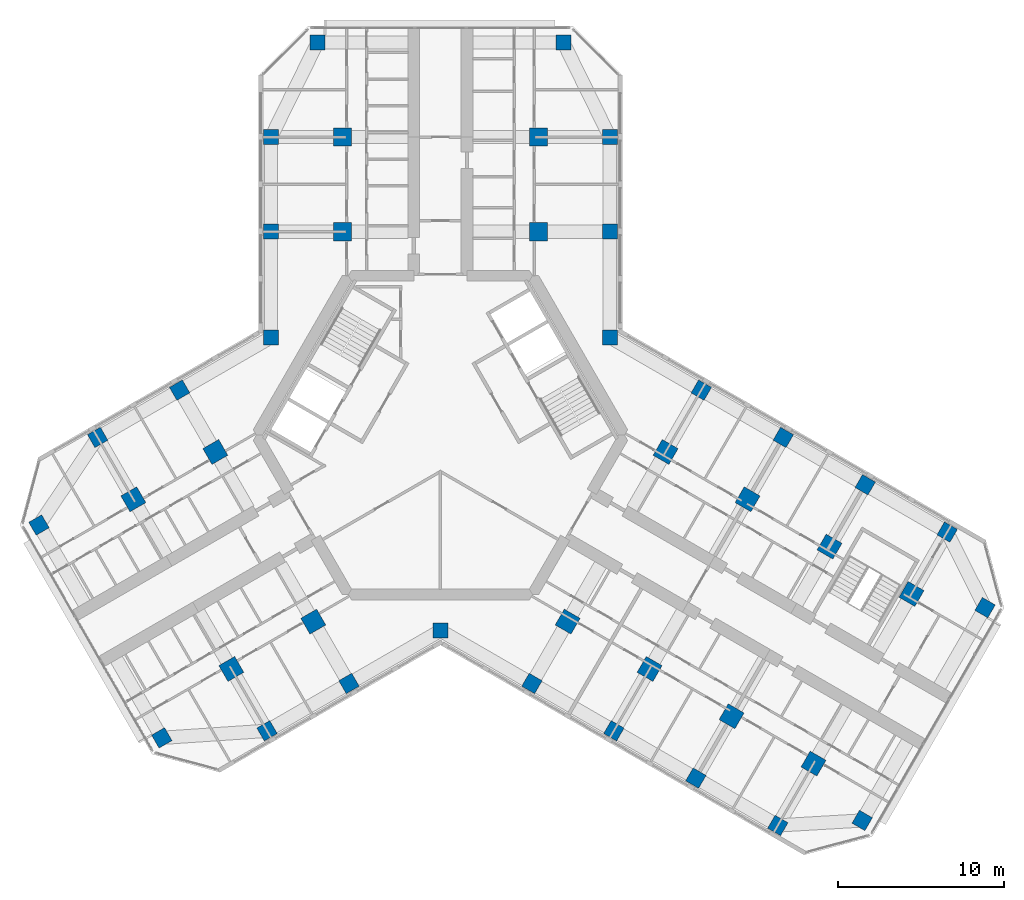
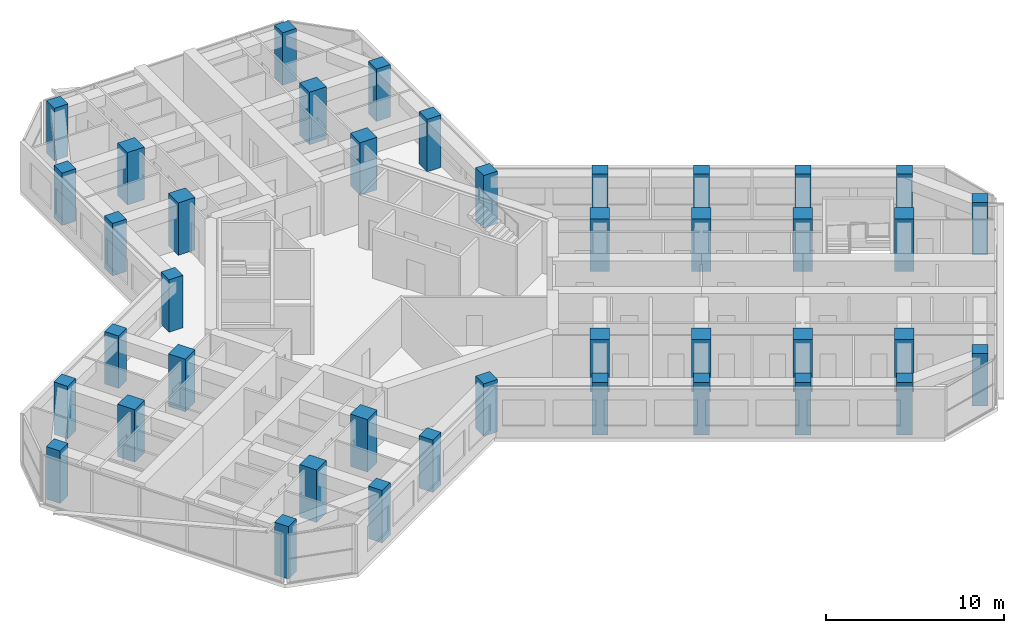
# One storey, part 1 of 16: 41 columns.
"""IFC4 building model written with IfcOpenShell, lengths in metres."""

import ifcopenshell
import ifcopenshell.guid

model = None  # the IFC model being written
_history = None  # IfcOwnerHistory: only IFC2X3 demands one
_inside = {}  # id of a spatial element -> (the spatial element, [elements in it])
_under = {}  # id of a project, library or spatial element -> (it, [spatial elements below it])
_declared = {}  # id of a project -> (the project, [libraries it declares])
_typed = {}  # id of a type object -> (the type object, [elements of that type])
_made_of = {}  # id of a material, layer set ... -> (it, [elements and type objects made of it])


def new_model(schema):
    """Start an empty IFC model of exactly this schema.

    Asked for "IFC4X3", IfcOpenShell would pick the latest addendum, in which some entities
    have other attributes; the version numbers below select the first issue.
    IFC2X3 requires an IfcOwnerHistory on every rooted entity: one is made here for all.
    """
    global model, _history
    if schema == "IFC4X3":
        model = ifcopenshell.file(schema_version=(4, 3, 0, 0))
    else:
        model = ifcopenshell.file(schema=schema)
    _inside.clear()
    _under.clear()
    _declared.clear()
    _typed.clear()
    _made_of.clear()
    _history = None
    if model.schema == "IFC2X3":
        org = make("IfcOrganization", Name="unknown")
        user = make(
            "IfcPersonAndOrganization",
            ThePerson=make("IfcPerson", FamilyName="unknown"),
            TheOrganization=org,
        )
        app = make(
            "IfcApplication",
            ApplicationDeveloper=org,
            Version="unknown",
            ApplicationFullName="unknown",
            ApplicationIdentifier="unknown",
        )
        _history = make(
            "IfcOwnerHistory",
            OwningUser=user,
            OwningApplication=app,
            ChangeAction="ADDED",
            CreationDate=0,
        )
    return model


def make(cls, **values):
    """One entity of the class cls with the attributes given. An attribute that is None is left unset."""
    return model.create_entity(
        cls, **{name: value for name, value in values.items() if value is not None}
    )


def rooted(cls, **values):
    """An entity with a GlobalId (a new one), such as an element, a storey or a relation."""
    return make(cls, GlobalId=ifcopenshell.guid.new(), OwnerHistory=_history, **values)


def si_unit(unit_type, name, prefix=None):
    """IfcSIUnit, for example si_unit("LENGTHUNIT", "METRE", prefix="MILLI")."""
    return make("IfcSIUnit", UnitType=unit_type, Prefix=prefix, Name=name)


def assignment(units):
    """IfcUnitAssignment: the units of a project."""
    return None if units is None else make("IfcUnitAssignment", Units=units)


def point(xyz):
    """IfcCartesianPoint."""
    return None if xyz is None else make("IfcCartesianPoint", Coordinates=xyz)


def direction(xyz):
    """IfcDirection."""
    return None if xyz is None else make("IfcDirection", DirectionRatios=xyz)


def frame(location, z_axis=None, x_axis=None):
    """IfcAxis2Placement3D, a coordinate frame: its origin and axes. An axis left out is left unset."""
    return make(
        "IfcAxis2Placement3D",
        Location=point(location),
        Axis=direction(z_axis),
        RefDirection=direction(x_axis),
    )


def frame_2d(location, x_axis=None):
    """IfcAxis2Placement2D, a coordinate frame in the plane: its origin and x axis."""
    return make(
        "IfcAxis2Placement2D", Location=point(location), RefDirection=direction(x_axis)
    )


def origin():
    """The frame at (0, 0, 0) with its axes left unset."""
    return frame((0.0, 0.0, 0.0))


def origin_2d():
    """The frame at (0, 0) in the plane with its x axis left unset."""
    return frame_2d((0.0, 0.0))


def place(relative_to, where):
    """IfcLocalPlacement: puts the frame where relative to a parent placement (None: the world)."""
    return make(
        "IfcLocalPlacement", PlacementRelTo=relative_to, RelativePlacement=where
    )


def context(
    kind, dimensions, precision=None, world=None, true_north=None, identifier=None
):
    """IfcGeometricRepresentationContext, for example the 3D "Model" context."""
    return make(
        "IfcGeometricRepresentationContext",
        ContextIdentifier=identifier,
        ContextType=kind,
        CoordinateSpaceDimension=dimensions,
        Precision=precision,
        WorldCoordinateSystem=world,
        TrueNorth=true_north,
    )


def subcontext(parent, identifier, kind, view, scale=None):
    """IfcGeometricRepresentationSubContext, for example "Body" below "Model"."""
    return make(
        "IfcGeometricRepresentationSubContext",
        ContextIdentifier=identifier,
        ContextType=kind,
        ParentContext=parent,
        TargetScale=scale,
        TargetView=view,
    )


def project(units=None, contexts=None):
    """IfcProject with its units and contexts."""
    return rooted(
        "IfcProject",
        Name="project",
        RepresentationContexts=contexts,
        UnitsInContext=assignment(units),
    )


def spatial(cls, under=None, at=None, **own):
    """A site, building, storey or space (cls), placed at a placement, below another one or the project."""
    s = rooted(cls, ObjectPlacement=at, **own)
    if under is not None:
        _under.setdefault(under.id(), (under, []))[1].append(s)
    return s


def profile(cls, at=None, kind="AREA", **sizes):
    """A parametric profile (cls). Its sizes go by their IFC names, for example OverallWidth=200.0."""
    return make(cls, ProfileType=kind, Position=at, **sizes)


def rectangle(**sizes):
    """IfcRectangleProfileDef."""
    return profile("IfcRectangleProfileDef", **sizes)


def extrude(swept, where, along, depth):
    """IfcExtrudedAreaSolid: the profile swept, set in the frame where, extruded along a direction by depth."""
    return make(
        "IfcExtrudedAreaSolid",
        SweptArea=swept,
        Position=where,
        ExtrudedDirection=direction(along),
        Depth=depth,
    )


def shape(context_of_items, identifier, shape_type, items):
    """IfcShapeRepresentation: the items that make up one representation, for example the "Body"."""
    return make(
        "IfcShapeRepresentation",
        ContextOfItems=context_of_items,
        RepresentationIdentifier=identifier,
        RepresentationType=shape_type,
        Items=items,
    )


def material(Name=None, Category=None):
    """IfcMaterial."""
    return make("IfcMaterial", Name=Name, Category=Category)


def material_profile(
    of_material, cross_section, Name=None, Category=None, Priority=None
):
    """IfcMaterialProfile: a cross section and its material."""
    return make(
        "IfcMaterialProfile",
        Name=Name,
        Material=of_material,
        Profile=cross_section,
        Priority=Priority,
        Category=Category,
    )


def profile_set(profiles, Name=None, composite=None):
    """IfcMaterialProfileSet."""
    return make(
        "IfcMaterialProfileSet",
        Name=Name,
        MaterialProfiles=profiles,
        CompositeProfile=composite,
    )


def made_of(thing, what):
    """Note that an element or type object is made of a material, layer set ...; save() writes the relation."""
    if what is not None:
        _made_of.setdefault(what.id(), (what, []))[1].append(thing)
    return thing


def type_object(cls, material=None, **own):
    """A type object (cls), such as IfcWallType, which elements share."""
    return made_of(rooted(cls, **own), material)


def element(
    cls,
    number,
    at=None,
    inside=None,
    cuts=None,
    type_object=None,
    material=None,
    context=None,
    identifier="Body",
    shape_type=None,
    held_by="IfcProductDefinitionShape",
    body=None,
    shapes=None,
    **own,
):
    """One element of the class cls, such as IfcWall. Its Tag is "e" and its number.

    at: its placement. inside: the storey or other place that contains it. cuts: it is an
    opening in that element (IfcRelVoidsElement). A single representation is given by context,
    identifier, shape_type and body (its items); several are given by shapes. held_by: the class
    of the entity that holds the representations. save() writes the other relations.
    """
    e = rooted(cls, Tag="e%d" % number, ObjectPlacement=at, **own)
    if body is not None:
        shapes = [shape(context, identifier, shape_type, body)]
    if shapes is not None:
        e.Representation = make(held_by, Representations=shapes)
    if inside is not None:
        _inside.setdefault(inside.id(), (inside, []))[1].append(e)
    if cuts is not None:
        rooted(
            "IfcRelVoidsElement", RelatingBuildingElement=cuts, RelatedOpeningElement=e
        )
    if type_object is not None:
        _typed.setdefault(type_object.id(), (type_object, []))[1].append(e)
    return made_of(e, material)


def aggregate(whole, parts):
    """IfcRelAggregates: a whole, such as a stair, and the parts it consists of."""
    return rooted("IfcRelAggregates", RelatingObject=whole, RelatedObjects=parts)


def save(model, path):
    """Write the relations noted so far, then the file.

    IfcRelAggregates (storeys below a building ...), IfcRelContainedInSpatialStructure (elements
    in a storey), IfcRelDefinesByType, IfcRelAssociatesMaterial and IfcRelDeclares: one each for
    every whole, place, type object, material and project.
    """
    for whole, parts in _under.values():
        aggregate(whole, parts)
    for where, things in _inside.values():
        rooted(
            "IfcRelContainedInSpatialStructure",
            RelatedElements=things,
            RelatingStructure=where,
        )
    for kind, things in _typed.values():
        rooted("IfcRelDefinesByType", RelatedObjects=things, RelatingType=kind)
    for what, things in _made_of.values():
        rooted("IfcRelAssociatesMaterial", RelatedObjects=things, RelatingMaterial=what)
    for by, libraries in _declared.values():
        rooted("IfcRelDeclares", RelatingContext=by, RelatedDefinitions=libraries)
    model.write(path)


model = new_model("IFC4")

# Units and contexts
model_context = context("Model", 3, precision=1e-05, world=origin(), true_north=direction((0.0, 1.0)))
body_context = subcontext(model_context, "Body", "Model", "MODEL_VIEW")
ifc_project = project(units=[si_unit("LENGTHUNIT", "METRE"), si_unit("AREAUNIT", "SQUARE_METRE"), si_unit("VOLUMEUNIT", "CUBIC_METRE"), si_unit("PLANEANGLEUNIT", "RADIAN"), si_unit("MASSUNIT", "GRAM", prefix="KILO")], contexts=[model_context])

# Site, building, storey
site_placement = place(None, origin())
site = spatial("IfcSite", under=ifc_project, at=site_placement, CompositionType="ELEMENT")
building_placement = place(site_placement, origin())
building = spatial("IfcBuilding", under=site, at=building_placement, Name="Kosmar Iwan School Tower", CompositionType="ELEMENT")
storey_placement = place(building_placement, frame((0.0, 0.0, 215.39990234375)))
storey = spatial("IfcBuildingStorey", under=building, at=storey_placement, Name="L54", CompositionType="ELEMENT", Elevation=215.39990234375)

# Columns
ifc_material_1 = material(Name="Concrete C50/60", Category="concrete")
ifc_material_profile_1 = material_profile(ifc_material_1, rectangle(XDim=0.89990234375, YDim=0.89990234375, at=origin_2d()), Name="RC 900x900 + HD 400x347")
ifc_profile_set_1 = profile_set([ifc_material_profile_1], Name="Concrete C50/60")
column_type_1 = type_object("IfcColumnType", Name="Composite column 900x900 HD 400x347", PredefinedType="COLUMN", material=ifc_profile_set_1)
for number, where, z_axis, x_axis, name in (
    (1, (-10.199951171875, 12.25, 0.0), (0.0, 0.0, 1.0), (0.0, 1.0, 0.0), "Column AL1 L54"),
    (2, (-10.199951171875, 17.949951171875, 0.0), (0.0, 0.0, 1.0), (0.0, 1.0, 0.0), "Column AL2 L54"),
    (3, (-7.39990234375, 23.64990234375, 0.0), (0.0, 0.0, 1.0), (0.0, 1.0, 0.0), "Column ALTIP L54"),
    (4, (10.199951171875, 12.25, 0.0), (0.0, 0.0, 1.0), (0.0, 1.0, 0.0), "Column AR1 L54"),
    (5, (10.199951171875, 17.949951171875, 0.0), (0.0, 0.0, 1.0), (0.0, 1.0, 0.0), "Column AR2 L54"),
    (6, (7.39990234375, 23.64990234375, 0.0), (0.0, 0.0, 1.0), (0.0, 1.0, 0.0), "Column ARTIP L54"),
    (7, (-5.5087890625, -14.95849609375, 0.0), (0.0, 0.0, 1.0), (-0.866025403784, -0.5, 0.0), "Column BL1 L54"),
    (8, (-10.445068359375, -17.808349609375, 0.0), (0.0, 0.0, 1.0), (-0.866025403784, -0.5, 0.0), "Column BL2 L54"),
    (9, (-16.781494140625, -18.233642578125, 0.0), (0.0, 0.0, 1.0), (-0.866025403784, -0.5, 0.0), "Column BLTIP L54"),
    (10, (-15.708740234375, 2.70849609375, 0.0), (0.0, 0.0, 1.0), (-0.866025403784, -0.5, 0.0), "Column BR1 L54"),
    (11, (-20.645263671875, -0.1416015625, 0.0), (0.0, 0.0, 1.0), (-0.866025403784, -0.5, 0.0), "Column BR2 L54"),
    (12, (-24.181396484375, -5.41650390625, 0.0), (0.0, 0.0, 1.0), (-0.866025403784, -0.5, 0.0), "Column BRTIP L54"),
    (13, (15.708740234375, 2.70849609375, 0.0), (0.0, 0.0, 1.0), (0.866025403784, -0.5, 0.0), "Column CL1 L54"),
    (14, (20.645263671875, -0.1416015625, 0.0), (0.0, 0.0, 1.0), (0.866025403784, -0.5, 0.0), "Column CL2 L54"),
    (15, (25.58154296875, -2.991455078125, 0.0), (0.0, 0.0, 1.0), (0.866025403784, -0.5, 0.0), "Column CL3 L54"),
    (16, (30.517822265625, -5.841552734375, 0.0), (0.0, 0.0, 1.0), (0.866025403784, -0.5, 0.0), "Column CL4 L54"),
    (17, (32.79833984375, -10.391357421875, 0.0), (0.0, 0.0, 1.0), (0.866025403784, -0.5, 0.0), "Column CLTIP L54"),
    (18, (5.5087890625, -14.95849609375, 0.0), (0.0, 0.0, 1.0), (0.866025403784, -0.5, 0.0), "Column CR1 L54"),
    (19, (10.445068359375, -17.808349609375, 0.0), (0.0, 0.0, 1.0), (0.866025403784, -0.5, 0.0), "Column CR2 L54"),
    (20, (15.381591796875, -20.658447265625, 0.0), (0.0, 0.0, 1.0), (0.866025403784, -0.5, 0.0), "Column CR3 L54"),
    (21, (20.31787109375, -23.508544921875, 0.0), (0.0, 0.0, 1.0), (0.866025403784, -0.5, 0.0), "Column CR4 L54"),
    (22, (25.3984375, -23.20849609375, 0.0), (0.0, 0.0, 1.0), (0.866025403784, -0.5, 0.0), "Column CRTIP L54"),
    (23, (-10.199951171875, 5.888916015625, 0.0), (0.0, 0.0, 1.0), (1.0, 0.0, 0.0), "Column RAB L54"),
    (24, (10.199951171875, 5.888916015625, 0.0), (0.0, 0.0, 1.0), (1.0, 0.0, 0.0), "Column RAC L54"),
    (25, (0.0, -11.77783203125, 0.0), (0.0, 0.0, 1.0), (1.0, 0.0, 0.0), "Column RBC L54"),
):
    element("IfcColumn", number, at=place(storey_placement, frame(where, z_axis=z_axis, x_axis=x_axis)), inside=storey, type_object=column_type_1, Name=name, PredefinedType="COLUMN", context=body_context, shape_type="SweptSolid", body=[
        extrude(rectangle(XDim=0.89990234375, YDim=0.89990234375, at=origin_2d()), origin(), (0.0, 0.0, 1.0), 3.60009765625),
    ])
ifc_material_2 = material(Name="Concrete C50/60", Category="concrete")
ifc_material_profile_2 = material_profile(ifc_material_2, rectangle(XDim=1.10009765625, YDim=1.10009765625, at=origin_2d()), Name="RC 1100x1100")
ifc_profile_set_2 = profile_set([ifc_material_profile_2], Name="Concrete C50/60")
column_type_2 = type_object("IfcColumnType", Name="RC interior column 1100x1100", PredefinedType="COLUMN", material=ifc_profile_set_2)
for number, where, z_axis, x_axis, name in (
    (26, (-5.89990234375, 12.25, 0.0), (0.0, 0.0, 1.0), (0.0, 1.0, 0.0), "Interior column ALI1 L54"),
    (27, (-5.89990234375, 17.949951171875, 0.0), (0.0, 0.0, 1.0), (0.0, 1.0, 0.0), "Interior column ALI2 L54"),
    (28, (5.89990234375, 12.25, 0.0), (0.0, 0.0, 1.0), (0.0, 1.0, 0.0), "Interior column ARI1 L54"),
    (29, (5.89990234375, 17.949951171875, 0.0), (0.0, 0.0, 1.0), (0.0, 1.0, 0.0), "Interior column ARI2 L54"),
    (30, (-7.65869140625, -11.234619140625, 0.0), (0.0, 0.0, 1.0), (-0.866025403784, -0.5, 0.0), "Interior column BLI1 L54"),
    (31, (-12.59521484375, -14.08447265625, 0.0), (0.0, 0.0, 1.0), (-0.866025403784, -0.5, 0.0), "Interior column BLI2 L54"),
    (32, (-13.558837890625, -1.015380859375, 0.0), (0.0, 0.0, 1.0), (-0.866025403784, -0.5, 0.0), "Interior column BRI1 L54"),
    (33, (-18.4951171875, -3.865478515625, 0.0), (0.0, 0.0, 1.0), (-0.866025403784, -0.5, 0.0), "Interior column BRI2 L54"),
    (34, (13.558837890625, -1.015380859375, 0.0), (0.0, 0.0, 1.0), (0.866025403784, -0.5, 0.0), "Interior column CLI1 L54"),
    (35, (18.4951171875, -3.865478515625, 0.0), (0.0, 0.0, 1.0), (0.866025403784, -0.5, 0.0), "Interior column CLI2 L54"),
    (36, (23.431396484375, -6.71533203125, 0.0), (0.0, 0.0, 1.0), (0.866025403784, -0.5, 0.0), "Interior column CLI3 L54"),
    (37, (28.367919921875, -9.5654296875, 0.0), (0.0, 0.0, 1.0), (0.866025403784, -0.5, 0.0), "Interior column CLI4 L54"),
    (38, (7.65869140625, -11.234619140625, 0.0), (0.0, 0.0, 1.0), (0.866025403784, -0.5, 0.0), "Interior column CRI1 L54"),
    (39, (12.59521484375, -14.08447265625, 0.0), (0.0, 0.0, 1.0), (0.866025403784, -0.5, 0.0), "Interior column CRI2 L54"),
    (40, (17.531494140625, -16.9345703125, 0.0), (0.0, 0.0, 1.0), (0.866025403784, -0.5, 0.0), "Interior column CRI3 L54"),
    (41, (22.4677734375, -19.78466796875, 0.0), (0.0, 0.0, 1.0), (0.866025403784, -0.5, 0.0), "Interior column CRI4 L54"),
):
    element("IfcColumn", number, at=place(storey_placement, frame(where, z_axis=z_axis, x_axis=x_axis)), inside=storey, type_object=column_type_2, Name=name, PredefinedType="COLUMN", context=body_context, shape_type="SweptSolid", body=[
        extrude(rectangle(XDim=1.10009765625, YDim=1.10009765625, at=origin_2d()), origin(), (0.0, 0.0, 1.0), 3.60009765625),
    ])

save(model, "model.ifc")
